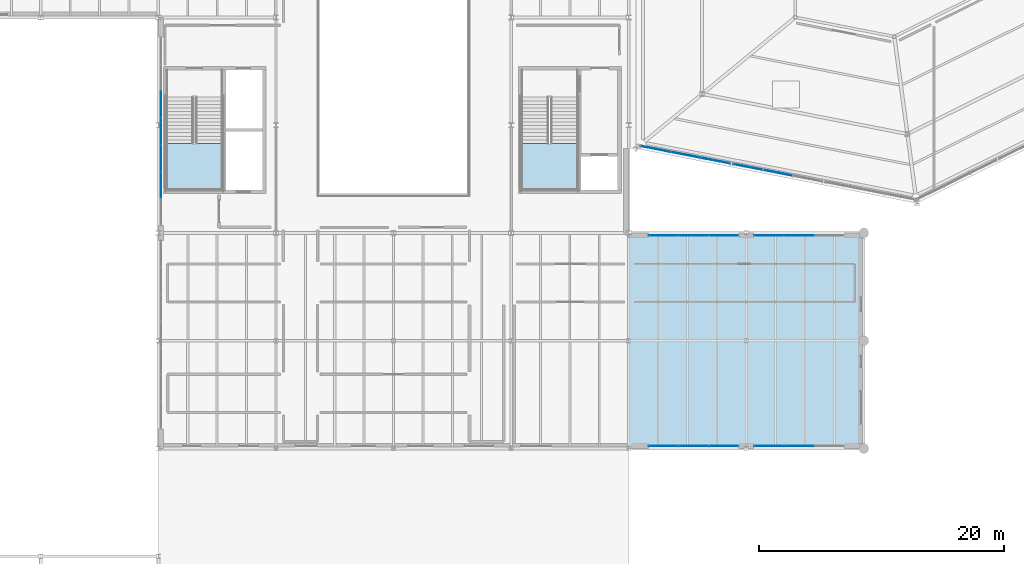
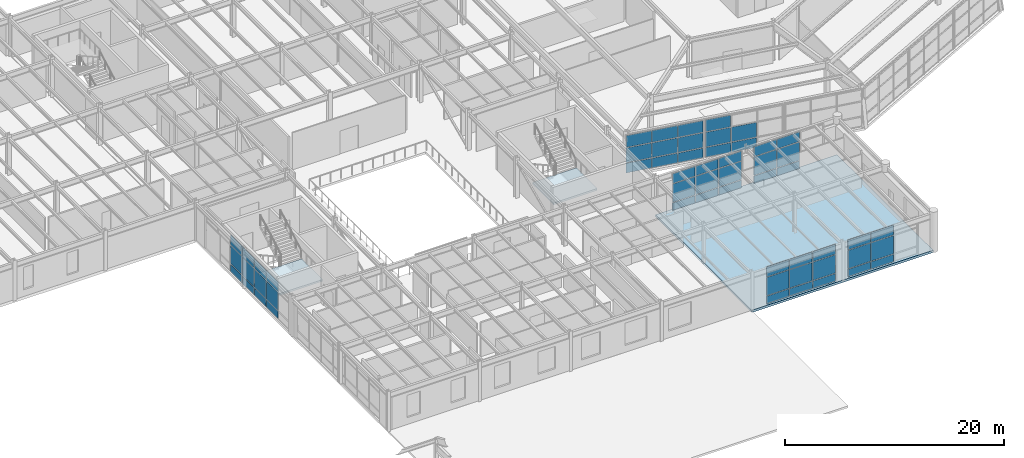
# One storey, part 51 of 88: 56 plates, 3 slabs, 9 elements without a shape of their own.
"""IFC4 building model written with IfcOpenShell, lengths in metres."""

from ifc_helpers import new_model, si_unit, direction, frame, origin, origin_2d, place, context, subcontext, project, spatial, polyline, rectangle, outline, extrude, material, layer, layer_set, type_object, element, aggregate, save


model = new_model("IFC4")

# Units and contexts
model_context = context("Model", 3, precision=1e-05, world=origin(), true_north=direction((0.0, 1.0)))
body_context = subcontext(model_context, "Body", "Model", "MODEL_VIEW")
ifc_project = project(units=[si_unit("LENGTHUNIT", "METRE"), si_unit("AREAUNIT", "SQUARE_METRE"), si_unit("VOLUMEUNIT", "CUBIC_METRE"), si_unit("PLANEANGLEUNIT", "RADIAN"), si_unit("MASSUNIT", "GRAM", prefix="KILO")], contexts=[model_context])

# Site, building, storey
site_placement = place(None, origin())
site = spatial("IfcSite", under=ifc_project, at=site_placement, CompositionType="ELEMENT")
building_placement = place(site_placement, origin())
building = spatial("IfcBuilding", under=site, at=building_placement, Name="Sarnbrook Museum", CompositionType="ELEMENT")
storey_placement = place(building_placement, frame((0.0, 0.0, 10.10009765625)))
storey = spatial("IfcBuildingStorey", under=building, at=storey_placement, Name="L02", CompositionType="ELEMENT", Elevation=10.10009765625)

# Curtain wall, plates
ifc_material_1 = material(Name="Thermally Broken Anodised Aluminium 6063-T6", Category="aluminium")
curtain_wall_type_1 = type_object("IfcCurtainWallType", Name="CurtainWall_CrystalFacet", PredefinedType="NOTDEFINED", material=ifc_material_1)
curtain_wall_1_placement = place(storey_placement, origin())
curtain_wall_1 = element("IfcCurtainWall", 1, at=curtain_wall_1_placement, inside=storey, type_object=curtain_wall_type_1, Name="Crystal Hall Facet Curtain Wall L02-F1.1", PredefinedType="NOTDEFINED")
ifc_material_2 = material(Name="Double-Glazed Low-Iron Laminated Safety Glass", Category="glass")
ifc_layer_1 = layer(ifc_material_2, 0.031982421875)
ifc_layer_set_1 = layer_set([ifc_layer_1], Name="Double-Glazed Low-Iron Laminated Safety Glass")
plate_type_1 = type_object("IfcPlateType", Name="CW_GlazedPanel_32", PredefinedType="CURTAIN_PANEL", material=ifc_layer_set_1)
plate_1_placement = place(storey_placement, frame((121.38134765625, 63.6708984375, 2.0), z_axis=(-0.191313464027, -0.981528990138, 0.0), x_axis=(0.981528990138, -0.191313464027, 0.0)))
plate_1 = element("IfcPlate", 2, at=plate_1_placement, type_object=plate_type_1, Name="Crystal Hall Facet Curtain Wall L02-F1.1 Glazed Panel 1-2", PredefinedType="CURTAIN_PANEL", context=body_context, shape_type="SweptSolid", body=[
    extrude(rectangle(XDim=2.4306640625, YDim=1.6298828125, at=origin_2d()), origin(), (0.0, 0.0, 1.0), 0.031982421875),
])
plate_2_placement = place(storey_placement, frame((121.38134765625, 63.6708984375, 3.544921875), z_axis=(-0.191313464027, -0.981528990138, 0.0), x_axis=(0.981528990138, -0.191313464027, 0.0)))
plate_2 = element("IfcPlate", 3, at=plate_2_placement, type_object=plate_type_1, Name="Crystal Hall Facet Curtain Wall L02-F1.1 Glazed Panel 1-3", PredefinedType="CURTAIN_PANEL", context=body_context, shape_type="SweptSolid", body=[
    extrude(rectangle(XDim=2.4306640625, YDim=1.320068359375, at=origin_2d()), origin(), (0.0, 0.0, 1.0), 0.031982421875),
])
plate_3_placement = place(storey_placement, frame((123.8408203125, 63.19140625, 2.0), z_axis=(-0.191313464027, -0.981528990138, 0.0), x_axis=(0.981528990138, -0.191313464027, 0.0)))
plate_3 = element("IfcPlate", 4, at=plate_3_placement, type_object=plate_type_1, Name="Crystal Hall Facet Curtain Wall L02-F1.1 Glazed Panel 2-2", PredefinedType="CURTAIN_PANEL", context=body_context, shape_type="SweptSolid", body=[
    extrude(rectangle(XDim=2.4306640625, YDim=1.6298828125, at=origin_2d()), origin(), (0.0, 0.0, 1.0), 0.031982421875),
])
plate_4_placement = place(storey_placement, frame((123.8408203125, 63.19140625, 3.544921875), z_axis=(-0.191313464027, -0.981528990138, 0.0), x_axis=(0.981528990138, -0.191313464027, 0.0)))
plate_4 = element("IfcPlate", 5, at=plate_4_placement, type_object=plate_type_1, Name="Crystal Hall Facet Curtain Wall L02-F1.1 Glazed Panel 2-3", PredefinedType="CURTAIN_PANEL", context=body_context, shape_type="SweptSolid", body=[
    extrude(rectangle(XDim=2.4306640625, YDim=1.320068359375, at=origin_2d()), origin(), (0.0, 0.0, 1.0), 0.031982421875),
])
plate_5_placement = place(storey_placement, frame((126.30029296875, 62.7119140625, 2.0), z_axis=(-0.191313464027, -0.981528990138, 0.0), x_axis=(0.981528990138, -0.191313464027, 0.0)))
plate_5 = element("IfcPlate", 6, at=plate_5_placement, type_object=plate_type_1, Name="Crystal Hall Facet Curtain Wall L02-F1.1 Glazed Panel 3-2", PredefinedType="CURTAIN_PANEL", context=body_context, shape_type="SweptSolid", body=[
    extrude(rectangle(XDim=2.4306640625, YDim=1.6298828125, at=origin_2d()), origin(), (0.0, 0.0, 1.0), 0.031982421875),
])
plate_6_placement = place(storey_placement, frame((126.30029296875, 62.7119140625, 3.544921875), z_axis=(-0.191313464027, -0.981528990138, 0.0), x_axis=(0.981528990138, -0.191313464027, 0.0)))
plate_6 = element("IfcPlate", 7, at=plate_6_placement, type_object=plate_type_1, Name="Crystal Hall Facet Curtain Wall L02-F1.1 Glazed Panel 3-3", PredefinedType="CURTAIN_PANEL", context=body_context, shape_type="SweptSolid", body=[
    extrude(rectangle(XDim=2.4306640625, YDim=1.320068359375, at=origin_2d()), origin(), (0.0, 0.0, 1.0), 0.031982421875),
])

curtain_wall_2_placement = place(storey_placement, origin())
curtain_wall_2 = element("IfcCurtainWall", 8, at=curtain_wall_2_placement, inside=storey, type_object=curtain_wall_type_1, Name="Crystal Hall Facet Curtain Wall L02-F1.2", PredefinedType="NOTDEFINED")
plate_7_placement = place(storey_placement, frame((128.916748046875, 62.201904296875, 2.0), z_axis=(-0.191313464027, -0.981528990138, 0.0), x_axis=(0.981528990138, -0.191313464027, 0.0)))
plate_7 = element("IfcPlate", 9, at=plate_7_placement, type_object=plate_type_1, Name="Crystal Hall Facet Curtain Wall L02-F1.2 Glazed Panel 1-2", PredefinedType="CURTAIN_PANEL", context=body_context, shape_type="SweptSolid", body=[
    extrude(rectangle(XDim=2.4306640625, YDim=1.6298828125, at=origin_2d()), origin(), (0.0, 0.0, 1.0), 0.031982421875),
])
plate_8_placement = place(storey_placement, frame((128.916748046875, 62.201904296875, 3.544921875), z_axis=(-0.191313464027, -0.981528990138, 0.0), x_axis=(0.981528990138, -0.191313464027, 0.0)))
plate_8 = element("IfcPlate", 10, at=plate_8_placement, type_object=plate_type_1, Name="Crystal Hall Facet Curtain Wall L02-F1.2 Glazed Panel 1-3", PredefinedType="CURTAIN_PANEL", context=body_context, shape_type="SweptSolid", body=[
    extrude(rectangle(XDim=2.4306640625, YDim=1.320068359375, at=origin_2d()), origin(), (0.0, 0.0, 1.0), 0.031982421875),
])
plate_9_placement = place(storey_placement, frame((131.3759765625, 61.72265625, 2.0), z_axis=(-0.191313464027, -0.981528990138, 0.0), x_axis=(0.981528990138, -0.191313464027, 0.0)))
plate_9 = element("IfcPlate", 11, at=plate_9_placement, type_object=plate_type_1, Name="Crystal Hall Facet Curtain Wall L02-F1.2 Glazed Panel 2-2", PredefinedType="CURTAIN_PANEL", context=body_context, shape_type="SweptSolid", body=[
    extrude(rectangle(XDim=2.4306640625, YDim=1.6298828125, at=origin_2d()), origin(), (0.0, 0.0, 1.0), 0.031982421875),
])

curtain_wall_type_2 = type_object("IfcCurtainWallType", Name="CurtainWall_GalleryRibbon", PredefinedType="NOTDEFINED", material=ifc_material_1)
curtain_wall_3_placement = place(storey_placement, origin())
curtain_wall_3 = element("IfcCurtainWall", 12, at=curtain_wall_3_placement, inside=storey, type_object=curtain_wall_type_2, Name="Gallery Ribbon Curtain Wall L02-14.1", PredefinedType="NOTDEFINED")
plate_10_placement = place(storey_placement, frame((81.01806640625, 67.294189453125, 1.949951171875), z_axis=(-1.0, 0.0, 0.0), x_axis=(0.0, -1.0, 0.0)))
plate_10 = element("IfcPlate", 13, at=plate_10_placement, type_object=plate_type_1, Name="Gallery Ribbon Curtain Wall L02-14.1 Glazed Panel 3-2", PredefinedType="CURTAIN_PANEL", context=body_context, shape_type="SweptSolid", body=[
    extrude(rectangle(XDim=2.119384765625, YDim=2.030029296875, at=origin_2d()), origin(), (0.0, 0.0, 1.0), 0.031982421875),
])
plate_11_placement = place(storey_placement, frame((81.01806640625, 67.294189453125, 3.579833984375), z_axis=(-1.0, 0.0, 0.0), x_axis=(0.0, -1.0, 0.0)))
plate_11 = element("IfcPlate", 14, at=plate_11_placement, type_object=plate_type_1, Name="Gallery Ribbon Curtain Wall L02-14.1 Glazed Panel 3-3", PredefinedType="CURTAIN_PANEL", context=body_context, shape_type="SweptSolid", body=[
    extrude(rectangle(XDim=2.119384765625, YDim=1.090087890625, at=origin_2d()), origin(), (0.0, 0.0, 1.0), 0.031982421875),
])
plate_12_placement = place(storey_placement, frame((81.01806640625, 65.10009765625, 1.949951171875), z_axis=(-1.0, 0.0, 0.0), x_axis=(0.0, -1.0, 0.0)))
plate_12 = element("IfcPlate", 15, at=plate_12_placement, type_object=plate_type_1, Name="Gallery Ribbon Curtain Wall L02-14.1 Glazed Panel 4-2", PredefinedType="CURTAIN_PANEL", context=body_context, shape_type="SweptSolid", body=[
    extrude(rectangle(XDim=2.119384765625, YDim=2.030029296875, at=origin_2d()), origin(), (0.0, 0.0, 1.0), 0.031982421875),
])
plate_13_placement = place(storey_placement, frame((81.01806640625, 65.10009765625, 3.579833984375), z_axis=(-1.0, 0.0, 0.0), x_axis=(0.0, -1.0, 0.0)))
plate_13 = element("IfcPlate", 16, at=plate_13_placement, type_object=plate_type_1, Name="Gallery Ribbon Curtain Wall L02-14.1 Glazed Panel 4-3", PredefinedType="CURTAIN_PANEL", context=body_context, shape_type="SweptSolid", body=[
    extrude(rectangle(XDim=2.119384765625, YDim=1.090087890625, at=origin_2d()), origin(), (0.0, 0.0, 1.0), 0.031982421875),
])
plate_14_placement = place(storey_placement, frame((81.01806640625, 62.90576171875, 1.949951171875), z_axis=(-1.0, 0.0, 0.0), x_axis=(0.0, -1.0, 0.0)))
plate_14 = element("IfcPlate", 17, at=plate_14_placement, type_object=plate_type_1, Name="Gallery Ribbon Curtain Wall L02-14.1 Glazed Panel 5-2", PredefinedType="CURTAIN_PANEL", context=body_context, shape_type="SweptSolid", body=[
    extrude(rectangle(XDim=2.119384765625, YDim=2.030029296875, at=origin_2d()), origin(), (0.0, 0.0, 1.0), 0.031982421875),
])
plate_15_placement = place(storey_placement, frame((81.01806640625, 62.90576171875, 3.579833984375), z_axis=(-1.0, 0.0, 0.0), x_axis=(0.0, -1.0, 0.0)))
plate_15 = element("IfcPlate", 18, at=plate_15_placement, type_object=plate_type_1, Name="Gallery Ribbon Curtain Wall L02-14.1 Glazed Panel 5-3", PredefinedType="CURTAIN_PANEL", context=body_context, shape_type="SweptSolid", body=[
    extrude(rectangle(XDim=2.119384765625, YDim=1.090087890625, at=origin_2d()), origin(), (0.0, 0.0, 1.0), 0.031982421875),
])
plate_16_placement = place(storey_placement, frame((81.01806640625, 60.71142578125, 1.949951171875), z_axis=(-1.0, 0.0, 0.0), x_axis=(0.0, -1.0, 0.0)))
plate_16 = element("IfcPlate", 19, at=plate_16_placement, type_object=plate_type_1, Name="Gallery Ribbon Curtain Wall L02-14.1 Glazed Panel 6-2", PredefinedType="CURTAIN_PANEL", context=body_context, shape_type="SweptSolid", body=[
    extrude(rectangle(XDim=2.119384765625, YDim=2.030029296875, at=origin_2d()), origin(), (0.0, 0.0, 1.0), 0.031982421875),
])
plate_17_placement = place(storey_placement, frame((81.01806640625, 60.71142578125, 3.579833984375), z_axis=(-1.0, 0.0, 0.0), x_axis=(0.0, -1.0, 0.0)))
plate_17 = element("IfcPlate", 20, at=plate_17_placement, type_object=plate_type_1, Name="Gallery Ribbon Curtain Wall L02-14.1 Glazed Panel 6-3", PredefinedType="CURTAIN_PANEL", context=body_context, shape_type="SweptSolid", body=[
    extrude(rectangle(XDim=2.119384765625, YDim=1.090087890625, at=origin_2d()), origin(), (0.0, 0.0, 1.0), 0.031982421875),
])

curtain_wall_4_placement = place(storey_placement, origin())
curtain_wall_4 = element("IfcCurtainWall", 21, at=curtain_wall_4_placement, inside=storey, type_object=curtain_wall_type_2, Name="Gallery Ribbon Curtain Wall L02-16.1", PredefinedType="NOTDEFINED")
plate_18_placement = place(storey_placement, frame((122.046630859375, 39.41796875, 1.949951171875), z_axis=(0.0, -1.0, 0.0), x_axis=(1.0, 0.0, 0.0)))
plate_18 = element("IfcPlate", 22, at=plate_18_placement, type_object=plate_type_1, Name="Gallery Ribbon Curtain Wall L02-16.1 Glazed Panel 1-2", PredefinedType="CURTAIN_PANEL", context=body_context, shape_type="SweptSolid", body=[
    extrude(rectangle(XDim=2.37841796875, YDim=2.030029296875, at=origin_2d()), origin(), (0.0, 0.0, 1.0), 0.031982421875),
])
plate_19_placement = place(storey_placement, frame((122.046630859375, 39.41796875, 3.579833984375), z_axis=(0.0, -1.0, 0.0), x_axis=(1.0, 0.0, 0.0)))
plate_19 = element("IfcPlate", 23, at=plate_19_placement, type_object=plate_type_1, Name="Gallery Ribbon Curtain Wall L02-16.1 Glazed Panel 1-3", PredefinedType="CURTAIN_PANEL", context=body_context, shape_type="SweptSolid", body=[
    extrude(rectangle(XDim=2.37841796875, YDim=1.090087890625, at=origin_2d()), origin(), (0.0, 0.0, 1.0), 0.031982421875),
])
plate_20_placement = place(storey_placement, frame((124.5, 39.41796875, 1.949951171875), z_axis=(0.0, -1.0, 0.0), x_axis=(1.0, 0.0, 0.0)))
plate_20 = element("IfcPlate", 24, at=plate_20_placement, type_object=plate_type_1, Name="Gallery Ribbon Curtain Wall L02-16.1 Glazed Panel 2-2", PredefinedType="CURTAIN_PANEL", context=body_context, shape_type="SweptSolid", body=[
    extrude(rectangle(XDim=2.37841796875, YDim=2.030029296875, at=origin_2d()), origin(), (0.0, 0.0, 1.0), 0.031982421875),
])
plate_21_placement = place(storey_placement, frame((124.5, 39.41796875, 3.579833984375), z_axis=(0.0, -1.0, 0.0), x_axis=(1.0, 0.0, 0.0)))
plate_21 = element("IfcPlate", 25, at=plate_21_placement, type_object=plate_type_1, Name="Gallery Ribbon Curtain Wall L02-16.1 Glazed Panel 2-3", PredefinedType="CURTAIN_PANEL", context=body_context, shape_type="SweptSolid", body=[
    extrude(rectangle(XDim=2.37841796875, YDim=1.090087890625, at=origin_2d()), origin(), (0.0, 0.0, 1.0), 0.031982421875),
])
plate_22_placement = place(storey_placement, frame((126.953369140625, 39.41796875, 1.949951171875), z_axis=(0.0, -1.0, 0.0), x_axis=(1.0, 0.0, 0.0)))
plate_22 = element("IfcPlate", 26, at=plate_22_placement, type_object=plate_type_1, Name="Gallery Ribbon Curtain Wall L02-16.1 Glazed Panel 3-2", PredefinedType="CURTAIN_PANEL", context=body_context, shape_type="SweptSolid", body=[
    extrude(rectangle(XDim=2.37841796875, YDim=2.030029296875, at=origin_2d()), origin(), (0.0, 0.0, 1.0), 0.031982421875),
])
plate_23_placement = place(storey_placement, frame((126.953369140625, 39.41796875, 3.579833984375), z_axis=(0.0, -1.0, 0.0), x_axis=(1.0, 0.0, 0.0)))
plate_23 = element("IfcPlate", 27, at=plate_23_placement, type_object=plate_type_1, Name="Gallery Ribbon Curtain Wall L02-16.1 Glazed Panel 3-3", PredefinedType="CURTAIN_PANEL", context=body_context, shape_type="SweptSolid", body=[
    extrude(rectangle(XDim=2.37841796875, YDim=1.090087890625, at=origin_2d()), origin(), (0.0, 0.0, 1.0), 0.031982421875),
])

curtain_wall_5_placement = place(storey_placement, origin())
curtain_wall_5 = element("IfcCurtainWall", 28, at=curtain_wall_5_placement, inside=storey, type_object=curtain_wall_type_2, Name="Gallery Ribbon Curtain Wall L02-16.2", PredefinedType="NOTDEFINED")
plate_24_placement = place(storey_placement, frame((130.646728515625, 39.41796875, 1.949951171875), z_axis=(0.0, -1.0, 0.0), x_axis=(1.0, 0.0, 0.0)))
plate_24 = element("IfcPlate", 29, at=plate_24_placement, type_object=plate_type_1, Name="Gallery Ribbon Curtain Wall L02-16.2 Glazed Panel 1-2", PredefinedType="CURTAIN_PANEL", context=body_context, shape_type="SweptSolid", body=[
    extrude(rectangle(XDim=2.37841796875, YDim=2.030029296875, at=origin_2d()), origin(), (0.0, 0.0, 1.0), 0.031982421875),
])
plate_25_placement = place(storey_placement, frame((130.646728515625, 39.41796875, 3.579833984375), z_axis=(0.0, -1.0, 0.0), x_axis=(1.0, 0.0, 0.0)))
plate_25 = element("IfcPlate", 30, at=plate_25_placement, type_object=plate_type_1, Name="Gallery Ribbon Curtain Wall L02-16.2 Glazed Panel 1-3", PredefinedType="CURTAIN_PANEL", context=body_context, shape_type="SweptSolid", body=[
    extrude(rectangle(XDim=2.37841796875, YDim=1.090087890625, at=origin_2d()), origin(), (0.0, 0.0, 1.0), 0.031982421875),
])
plate_26_placement = place(storey_placement, frame((133.10009765625, 39.41796875, 1.949951171875), z_axis=(0.0, -1.0, 0.0), x_axis=(1.0, 0.0, 0.0)))
plate_26 = element("IfcPlate", 31, at=plate_26_placement, type_object=plate_type_1, Name="Gallery Ribbon Curtain Wall L02-16.2 Glazed Panel 2-2", PredefinedType="CURTAIN_PANEL", context=body_context, shape_type="SweptSolid", body=[
    extrude(rectangle(XDim=2.37841796875, YDim=2.030029296875, at=origin_2d()), origin(), (0.0, 0.0, 1.0), 0.031982421875),
])
plate_27_placement = place(storey_placement, frame((133.10009765625, 39.41796875, 3.579833984375), z_axis=(0.0, -1.0, 0.0), x_axis=(1.0, 0.0, 0.0)))
plate_27 = element("IfcPlate", 32, at=plate_27_placement, type_object=plate_type_1, Name="Gallery Ribbon Curtain Wall L02-16.2 Glazed Panel 2-3", PredefinedType="CURTAIN_PANEL", context=body_context, shape_type="SweptSolid", body=[
    extrude(rectangle(XDim=2.37841796875, YDim=1.090087890625, at=origin_2d()), origin(), (0.0, 0.0, 1.0), 0.031982421875),
])

curtain_wall_6_placement = place(storey_placement, origin())
curtain_wall_6 = element("IfcCurtainWall", 33, at=curtain_wall_6_placement, inside=storey, type_object=curtain_wall_type_2, Name="Gallery Ribbon Curtain Wall L02-18.1", PredefinedType="NOTDEFINED")
plate_28_placement = place(storey_placement, frame((133.10009765625, 56.58203125, 1.949951171875), z_axis=(0.0, 1.0, 0.0), x_axis=(-1.0, 0.0, 0.0)))
plate_28 = element("IfcPlate", 34, at=plate_28_placement, type_object=plate_type_1, Name="Gallery Ribbon Curtain Wall L02-18.1 Glazed Panel 2-2", PredefinedType="CURTAIN_PANEL", context=body_context, shape_type="SweptSolid", body=[
    extrude(rectangle(XDim=2.37841796875, YDim=2.030029296875, at=origin_2d()), origin(), (0.0, 0.0, 1.0), 0.031982421875),
])
plate_29_placement = place(storey_placement, frame((133.10009765625, 56.58203125, 3.579833984375), z_axis=(0.0, 1.0, 0.0), x_axis=(-1.0, 0.0, 0.0)))
plate_29 = element("IfcPlate", 35, at=plate_29_placement, type_object=plate_type_1, Name="Gallery Ribbon Curtain Wall L02-18.1 Glazed Panel 2-3", PredefinedType="CURTAIN_PANEL", context=body_context, shape_type="SweptSolid", body=[
    extrude(rectangle(XDim=2.37841796875, YDim=1.090087890625, at=origin_2d()), origin(), (0.0, 0.0, 1.0), 0.031982421875),
])
plate_30_placement = place(storey_placement, frame((130.646728515625, 56.58203125, 1.949951171875), z_axis=(0.0, 1.0, 0.0), x_axis=(-1.0, 0.0, 0.0)))
plate_30 = element("IfcPlate", 36, at=plate_30_placement, type_object=plate_type_1, Name="Gallery Ribbon Curtain Wall L02-18.1 Glazed Panel 3-2", PredefinedType="CURTAIN_PANEL", context=body_context, shape_type="SweptSolid", body=[
    extrude(rectangle(XDim=2.37841796875, YDim=2.030029296875, at=origin_2d()), origin(), (0.0, 0.0, 1.0), 0.031982421875),
])
plate_31_placement = place(storey_placement, frame((130.646728515625, 56.58203125, 3.579833984375), z_axis=(0.0, 1.0, 0.0), x_axis=(-1.0, 0.0, 0.0)))
plate_31 = element("IfcPlate", 37, at=plate_31_placement, type_object=plate_type_1, Name="Gallery Ribbon Curtain Wall L02-18.1 Glazed Panel 3-3", PredefinedType="CURTAIN_PANEL", context=body_context, shape_type="SweptSolid", body=[
    extrude(rectangle(XDim=2.37841796875, YDim=1.090087890625, at=origin_2d()), origin(), (0.0, 0.0, 1.0), 0.031982421875),
])

curtain_wall_7_placement = place(storey_placement, origin())
curtain_wall_7 = element("IfcCurtainWall", 38, at=curtain_wall_7_placement, inside=storey, type_object=curtain_wall_type_2, Name="Gallery Ribbon Curtain Wall L02-18.2", PredefinedType="NOTDEFINED")
plate_32_placement = place(storey_placement, frame((126.953369140625, 56.58203125, 1.949951171875), z_axis=(0.0, 1.0, 0.0), x_axis=(-1.0, 0.0, 0.0)))
plate_32 = element("IfcPlate", 39, at=plate_32_placement, type_object=plate_type_1, Name="Gallery Ribbon Curtain Wall L02-18.2 Glazed Panel 1-2", PredefinedType="CURTAIN_PANEL", context=body_context, shape_type="SweptSolid", body=[
    extrude(rectangle(XDim=2.37841796875, YDim=2.030029296875, at=origin_2d()), origin(), (0.0, 0.0, 1.0), 0.031982421875),
])
plate_33_placement = place(storey_placement, frame((126.953369140625, 56.58203125, 3.579833984375), z_axis=(0.0, 1.0, 0.0), x_axis=(-1.0, 0.0, 0.0)))
plate_33 = element("IfcPlate", 40, at=plate_33_placement, type_object=plate_type_1, Name="Gallery Ribbon Curtain Wall L02-18.2 Glazed Panel 1-3", PredefinedType="CURTAIN_PANEL", context=body_context, shape_type="SweptSolid", body=[
    extrude(rectangle(XDim=2.37841796875, YDim=1.090087890625, at=origin_2d()), origin(), (0.0, 0.0, 1.0), 0.031982421875),
])
plate_34_placement = place(storey_placement, frame((124.5, 56.58203125, 1.949951171875), z_axis=(0.0, 1.0, 0.0), x_axis=(-1.0, 0.0, 0.0)))
plate_34 = element("IfcPlate", 41, at=plate_34_placement, type_object=plate_type_1, Name="Gallery Ribbon Curtain Wall L02-18.2 Glazed Panel 2-2", PredefinedType="CURTAIN_PANEL", context=body_context, shape_type="SweptSolid", body=[
    extrude(rectangle(XDim=2.37841796875, YDim=2.030029296875, at=origin_2d()), origin(), (0.0, 0.0, 1.0), 0.031982421875),
])
plate_35_placement = place(storey_placement, frame((124.5, 56.58203125, 3.579833984375), z_axis=(0.0, 1.0, 0.0), x_axis=(-1.0, 0.0, 0.0)))
plate_35 = element("IfcPlate", 42, at=plate_35_placement, type_object=plate_type_1, Name="Gallery Ribbon Curtain Wall L02-18.2 Glazed Panel 2-3", PredefinedType="CURTAIN_PANEL", context=body_context, shape_type="SweptSolid", body=[
    extrude(rectangle(XDim=2.37841796875, YDim=1.090087890625, at=origin_2d()), origin(), (0.0, 0.0, 1.0), 0.031982421875),
])
plate_36_placement = place(storey_placement, frame((122.046630859375, 56.58203125, 1.949951171875), z_axis=(0.0, 1.0, 0.0), x_axis=(-1.0, 0.0, 0.0)))
plate_36 = element("IfcPlate", 43, at=plate_36_placement, type_object=plate_type_1, Name="Gallery Ribbon Curtain Wall L02-18.2 Glazed Panel 3-2", PredefinedType="CURTAIN_PANEL", context=body_context, shape_type="SweptSolid", body=[
    extrude(rectangle(XDim=2.37841796875, YDim=2.030029296875, at=origin_2d()), origin(), (0.0, 0.0, 1.0), 0.031982421875),
])
plate_37_placement = place(storey_placement, frame((122.046630859375, 56.58203125, 3.579833984375), z_axis=(0.0, 1.0, 0.0), x_axis=(-1.0, 0.0, 0.0)))
plate_37 = element("IfcPlate", 44, at=plate_37_placement, type_object=plate_type_1, Name="Gallery Ribbon Curtain Wall L02-18.2 Glazed Panel 3-3", PredefinedType="CURTAIN_PANEL", context=body_context, shape_type="SweptSolid", body=[
    extrude(rectangle(XDim=2.37841796875, YDim=1.090087890625, at=origin_2d()), origin(), (0.0, 0.0, 1.0), 0.031982421875),
])

# Plate
ifc_material_3 = material(Name="Patinated Architectural Bronze")
ifc_layer_2 = layer(ifc_material_3, 0.044921875)
ifc_layer_set_2 = layer_set([ifc_layer_2], Name="Patinated Architectural Bronze")
plate_type_2 = type_object("IfcPlateType", Name="CW_SpandrelPanel_45", PredefinedType="CURTAIN_PANEL", material=ifc_layer_set_2)
plate_38_placement = place(storey_placement, frame((121.382568359375, 63.67724609375, 0.574951171875), z_axis=(-0.191313464027, -0.981528990138, 0.0), x_axis=(0.981528990138, -0.191313464027, 0.0)))
plate_38 = element("IfcPlate", 45, at=plate_38_placement, type_object=plate_type_2, Name="Crystal Hall Facet Curtain Wall L02-F1.1 Spandrel Panel 1-1", PredefinedType="CURTAIN_PANEL", context=body_context, shape_type="SweptSolid", body=[
    extrude(rectangle(XDim=2.4306640625, YDim=1.080078125, at=origin_2d()), origin(), (0.0, 0.0, 1.0), 0.044921875),
])

plate_39_placement = place(storey_placement, frame((123.842041015625, 63.19775390625, 0.574951171875), z_axis=(-0.191313464027, -0.981528990138, 0.0), x_axis=(0.981528990138, -0.191313464027, 0.0)))
plate_39 = element("IfcPlate", 46, at=plate_39_placement, type_object=plate_type_2, Name="Crystal Hall Facet Curtain Wall L02-F1.1 Spandrel Panel 2-1", PredefinedType="CURTAIN_PANEL", context=body_context, shape_type="SweptSolid", body=[
    extrude(rectangle(XDim=2.4306640625, YDim=1.080078125, at=origin_2d()), origin(), (0.0, 0.0, 1.0), 0.044921875),
])

plate_40_placement = place(storey_placement, frame((126.301513671875, 62.71826171875, 0.574951171875), z_axis=(-0.191313464027, -0.981528990138, 0.0), x_axis=(0.981528990138, -0.191313464027, 0.0)))
plate_40 = element("IfcPlate", 47, at=plate_40_placement, type_object=plate_type_2, Name="Crystal Hall Facet Curtain Wall L02-F1.1 Spandrel Panel 3-1", PredefinedType="CURTAIN_PANEL", context=body_context, shape_type="SweptSolid", body=[
    extrude(rectangle(XDim=2.4306640625, YDim=1.080078125, at=origin_2d()), origin(), (0.0, 0.0, 1.0), 0.044921875),
])

aggregate(curtain_wall_1, [plate_38, plate_1, plate_2, plate_39, plate_3, plate_4, plate_40, plate_5, plate_6])

plate_41_placement = place(storey_placement, frame((128.91796875, 62.208251953125, 0.574951171875), z_axis=(-0.191313464027, -0.981528990138, 0.0), x_axis=(0.981528990138, -0.191313464027, 0.0)))
plate_41 = element("IfcPlate", 48, at=plate_41_placement, type_object=plate_type_2, Name="Crystal Hall Facet Curtain Wall L02-F1.2 Spandrel Panel 1-1", PredefinedType="CURTAIN_PANEL", context=body_context, shape_type="SweptSolid", body=[
    extrude(rectangle(XDim=2.4306640625, YDim=1.080078125, at=origin_2d()), origin(), (0.0, 0.0, 1.0), 0.044921875),
])

plate_42_placement = place(storey_placement, frame((131.377197265625, 61.72900390625, 0.574951171875), z_axis=(-0.191313464027, -0.981528990138, 0.0), x_axis=(0.981528990138, -0.191313464027, 0.0)))
plate_42 = element("IfcPlate", 49, at=plate_42_placement, type_object=plate_type_2, Name="Crystal Hall Facet Curtain Wall L02-F1.2 Spandrel Panel 2-1", PredefinedType="CURTAIN_PANEL", context=body_context, shape_type="SweptSolid", body=[
    extrude(rectangle(XDim=2.4306640625, YDim=1.080078125, at=origin_2d()), origin(), (0.0, 0.0, 1.0), 0.044921875),
])

aggregate(curtain_wall_2, [plate_41, plate_7, plate_8, plate_42, plate_9])

plate_43_placement = place(storey_placement, frame((81.0244140625, 67.294189453125, 0.449951171875), z_axis=(-1.0, 0.0, 0.0), x_axis=(0.0, -1.0, 0.0)))
plate_43 = element("IfcPlate", 50, at=plate_43_placement, type_object=plate_type_2, Name="Gallery Ribbon Curtain Wall L02-14.1 Spandrel Panel 3-1", PredefinedType="CURTAIN_PANEL", context=body_context, shape_type="SweptSolid", body=[
    extrude(rectangle(XDim=2.119384765625, YDim=0.830078125, at=origin_2d()), origin(), (0.0, 0.0, 1.0), 0.044921875),
])

plate_44_placement = place(storey_placement, frame((81.0244140625, 65.10009765625, 0.449951171875), z_axis=(-1.0, 0.0, 0.0), x_axis=(0.0, -1.0, 0.0)))
plate_44 = element("IfcPlate", 51, at=plate_44_placement, type_object=plate_type_2, Name="Gallery Ribbon Curtain Wall L02-14.1 Spandrel Panel 4-1", PredefinedType="CURTAIN_PANEL", context=body_context, shape_type="SweptSolid", body=[
    extrude(rectangle(XDim=2.119384765625, YDim=0.830078125, at=origin_2d()), origin(), (0.0, 0.0, 1.0), 0.044921875),
])

plate_45_placement = place(storey_placement, frame((81.0244140625, 62.90576171875, 0.449951171875), z_axis=(-1.0, 0.0, 0.0), x_axis=(0.0, -1.0, 0.0)))
plate_45 = element("IfcPlate", 52, at=plate_45_placement, type_object=plate_type_2, Name="Gallery Ribbon Curtain Wall L02-14.1 Spandrel Panel 5-1", PredefinedType="CURTAIN_PANEL", context=body_context, shape_type="SweptSolid", body=[
    extrude(rectangle(XDim=2.119384765625, YDim=0.830078125, at=origin_2d()), origin(), (0.0, 0.0, 1.0), 0.044921875),
])

plate_46_placement = place(storey_placement, frame((81.0244140625, 60.71142578125, 0.449951171875), z_axis=(-1.0, 0.0, 0.0), x_axis=(0.0, -1.0, 0.0)))
plate_46 = element("IfcPlate", 53, at=plate_46_placement, type_object=plate_type_2, Name="Gallery Ribbon Curtain Wall L02-14.1 Spandrel Panel 6-1", PredefinedType="CURTAIN_PANEL", context=body_context, shape_type="SweptSolid", body=[
    extrude(rectangle(XDim=2.119384765625, YDim=0.830078125, at=origin_2d()), origin(), (0.0, 0.0, 1.0), 0.044921875),
])

aggregate(curtain_wall_3, [plate_43, plate_10, plate_11, plate_44, plate_12, plate_13, plate_45, plate_14, plate_15, plate_46, plate_16, plate_17])

plate_47_placement = place(storey_placement, frame((122.046630859375, 39.424560546875, 0.449951171875), z_axis=(0.0, -1.0, 0.0), x_axis=(1.0, 0.0, 0.0)))
plate_47 = element("IfcPlate", 54, at=plate_47_placement, type_object=plate_type_2, Name="Gallery Ribbon Curtain Wall L02-16.1 Spandrel Panel 1-1", PredefinedType="CURTAIN_PANEL", context=body_context, shape_type="SweptSolid", body=[
    extrude(rectangle(XDim=2.37841796875, YDim=0.830078125, at=origin_2d()), origin(), (0.0, 0.0, 1.0), 0.044921875),
])

plate_48_placement = place(storey_placement, frame((124.5, 39.424560546875, 0.449951171875), z_axis=(0.0, -1.0, 0.0), x_axis=(1.0, 0.0, 0.0)))
plate_48 = element("IfcPlate", 55, at=plate_48_placement, type_object=plate_type_2, Name="Gallery Ribbon Curtain Wall L02-16.1 Spandrel Panel 2-1", PredefinedType="CURTAIN_PANEL", context=body_context, shape_type="SweptSolid", body=[
    extrude(rectangle(XDim=2.37841796875, YDim=0.830078125, at=origin_2d()), origin(), (0.0, 0.0, 1.0), 0.044921875),
])

plate_49_placement = place(storey_placement, frame((126.953369140625, 39.424560546875, 0.449951171875), z_axis=(0.0, -1.0, 0.0), x_axis=(1.0, 0.0, 0.0)))
plate_49 = element("IfcPlate", 56, at=plate_49_placement, type_object=plate_type_2, Name="Gallery Ribbon Curtain Wall L02-16.1 Spandrel Panel 3-1", PredefinedType="CURTAIN_PANEL", context=body_context, shape_type="SweptSolid", body=[
    extrude(rectangle(XDim=2.37841796875, YDim=0.830078125, at=origin_2d()), origin(), (0.0, 0.0, 1.0), 0.044921875),
])

aggregate(curtain_wall_4, [plate_47, plate_18, plate_19, plate_48, plate_20, plate_21, plate_49, plate_22, plate_23])

plate_50_placement = place(storey_placement, frame((130.646728515625, 39.424560546875, 0.449951171875), z_axis=(0.0, -1.0, 0.0), x_axis=(1.0, 0.0, 0.0)))
plate_50 = element("IfcPlate", 57, at=plate_50_placement, type_object=plate_type_2, Name="Gallery Ribbon Curtain Wall L02-16.2 Spandrel Panel 1-1", PredefinedType="CURTAIN_PANEL", context=body_context, shape_type="SweptSolid", body=[
    extrude(rectangle(XDim=2.37841796875, YDim=0.830078125, at=origin_2d()), origin(), (0.0, 0.0, 1.0), 0.044921875),
])

plate_51_placement = place(storey_placement, frame((133.10009765625, 39.424560546875, 0.449951171875), z_axis=(0.0, -1.0, 0.0), x_axis=(1.0, 0.0, 0.0)))
plate_51 = element("IfcPlate", 58, at=plate_51_placement, type_object=plate_type_2, Name="Gallery Ribbon Curtain Wall L02-16.2 Spandrel Panel 2-1", PredefinedType="CURTAIN_PANEL", context=body_context, shape_type="SweptSolid", body=[
    extrude(rectangle(XDim=2.37841796875, YDim=0.830078125, at=origin_2d()), origin(), (0.0, 0.0, 1.0), 0.044921875),
])

aggregate(curtain_wall_5, [plate_50, plate_24, plate_25, plate_51, plate_26, plate_27])

plate_52_placement = place(storey_placement, frame((133.10009765625, 56.575439453125, 0.449951171875), z_axis=(0.0, 1.0, 0.0), x_axis=(-1.0, 0.0, 0.0)))
plate_52 = element("IfcPlate", 59, at=plate_52_placement, type_object=plate_type_2, Name="Gallery Ribbon Curtain Wall L02-18.1 Spandrel Panel 2-1", PredefinedType="CURTAIN_PANEL", context=body_context, shape_type="SweptSolid", body=[
    extrude(rectangle(XDim=2.37841796875, YDim=0.830078125, at=origin_2d()), origin(), (0.0, 0.0, 1.0), 0.044921875),
])

plate_53_placement = place(storey_placement, frame((130.646728515625, 56.575439453125, 0.449951171875), z_axis=(0.0, 1.0, 0.0), x_axis=(-1.0, 0.0, 0.0)))
plate_53 = element("IfcPlate", 60, at=plate_53_placement, type_object=plate_type_2, Name="Gallery Ribbon Curtain Wall L02-18.1 Spandrel Panel 3-1", PredefinedType="CURTAIN_PANEL", context=body_context, shape_type="SweptSolid", body=[
    extrude(rectangle(XDim=2.37841796875, YDim=0.830078125, at=origin_2d()), origin(), (0.0, 0.0, 1.0), 0.044921875),
])

aggregate(curtain_wall_6, [plate_52, plate_28, plate_29, plate_53, plate_30, plate_31])

plate_54_placement = place(storey_placement, frame((126.953369140625, 56.575439453125, 0.449951171875), z_axis=(0.0, 1.0, 0.0), x_axis=(-1.0, 0.0, 0.0)))
plate_54 = element("IfcPlate", 61, at=plate_54_placement, type_object=plate_type_2, Name="Gallery Ribbon Curtain Wall L02-18.2 Spandrel Panel 1-1", PredefinedType="CURTAIN_PANEL", context=body_context, shape_type="SweptSolid", body=[
    extrude(rectangle(XDim=2.37841796875, YDim=0.830078125, at=origin_2d()), origin(), (0.0, 0.0, 1.0), 0.044921875),
])

plate_55_placement = place(storey_placement, frame((124.5, 56.575439453125, 0.449951171875), z_axis=(0.0, 1.0, 0.0), x_axis=(-1.0, 0.0, 0.0)))
plate_55 = element("IfcPlate", 62, at=plate_55_placement, type_object=plate_type_2, Name="Gallery Ribbon Curtain Wall L02-18.2 Spandrel Panel 2-1", PredefinedType="CURTAIN_PANEL", context=body_context, shape_type="SweptSolid", body=[
    extrude(rectangle(XDim=2.37841796875, YDim=0.830078125, at=origin_2d()), origin(), (0.0, 0.0, 1.0), 0.044921875),
])

plate_56_placement = place(storey_placement, frame((122.046630859375, 56.575439453125, 0.449951171875), z_axis=(0.0, 1.0, 0.0), x_axis=(-1.0, 0.0, 0.0)))
plate_56 = element("IfcPlate", 63, at=plate_56_placement, type_object=plate_type_2, Name="Gallery Ribbon Curtain Wall L02-18.2 Spandrel Panel 3-1", PredefinedType="CURTAIN_PANEL", context=body_context, shape_type="SweptSolid", body=[
    extrude(rectangle(XDim=2.37841796875, YDim=0.830078125, at=origin_2d()), origin(), (0.0, 0.0, 1.0), 0.044921875),
])

aggregate(curtain_wall_7, [plate_54, plate_32, plate_33, plate_55, plate_34, plate_35, plate_56, plate_36, plate_37])

# Slab
ifc_material_4 = material(Name="Concrete N40 (AS 3600, f'c = 40 MPa)", Category="concrete")
ifc_layer_3 = layer(ifc_material_4, 0.25)
ifc_layer_set_3 = layer_set([ifc_layer_3], Name="Concrete N40 (AS 3600, f'c = 40 MPa)")
slab_type_1 = type_object("IfcSlabType", Name="FloorSlab_250", PredefinedType="FLOOR", material=ifc_layer_set_3)
slab_1_placement = place(storey_placement, frame((0.0, 0.0, -0.25)))
element("IfcSlab", 64, at=slab_1_placement, inside=storey, type_object=slab_type_1, Name="V3E Structural Slab L02", PredefinedType="FLOOR", context=body_context, shape_type="SweptSolid", body=[
    extrude(outline(polyline([(138.364990234375, 56.800048828125), (138.364990234375, 39.199951171875), (119.2041015625, 39.199951171875), (119.2041015625, 56.800048828125), (138.364990234375, 56.800048828125)])), origin(), (0.0, 0.0, 1.0), 0.25),
])

# Stair, slab
stair_type = type_object("IfcStairType", Name="Stair_ST03", PredefinedType="HALF_TURN_STAIR", material=ifc_material_4)
stair_1_placement = place(storey_placement, origin())
stair_1 = element("IfcStair", 65, at=stair_1_placement, inside=storey, type_object=stair_type, Name="L02 Exit Stair ST1", PredefinedType="HALF_TURN_STAIR")
ifc_layer_4 = layer(ifc_material_4, 0.199951171875)
ifc_layer_set_4 = layer_set([ifc_layer_4], Name="Concrete N40 (AS 3600, f'c = 40 MPa)")
slab_type_2 = type_object("IfcSlabType", Name="Landing_200", PredefinedType="LANDING", material=ifc_layer_set_4)
slab_2_placement = place(storey_placement, frame((0.0, 0.0, 2.0498046875)))
slab_2 = element("IfcSlab", 66, at=slab_2_placement, type_object=slab_type_2, Name="ST1 landing 1", PredefinedType="LANDING", context=body_context, shape_type="SweptSolid", body=[
    extrude(outline(polyline([(110.43994140625, 64.110107421875), (110.43994140625, 60.300048828125), (115.06005859375, 60.300048828125), (115.06005859375, 64.110107421875), (110.43994140625, 64.110107421875)])), origin(), (0.0, 0.0, 1.0), 0.2001953125),
])
aggregate(stair_1, [slab_2])

stair_2_placement = place(storey_placement, origin())
stair_2 = element("IfcStair", 67, at=stair_2_placement, inside=storey, type_object=stair_type, Name="L02 Exit Stair ST3", PredefinedType="HALF_TURN_STAIR")
slab_3_placement = place(storey_placement, frame((0.0, 0.0, 2.0498046875)))
slab_3 = element("IfcSlab", 68, at=slab_3_placement, type_object=slab_type_2, Name="ST3 landing 1", PredefinedType="LANDING", context=body_context, shape_type="SweptSolid", body=[
    extrude(outline(polyline([(81.43994140625, 64.110107421875), (81.43994140625, 60.300048828125), (86.06005859375, 60.300048828125), (86.06005859375, 64.110107421875), (81.43994140625, 64.110107421875)])), origin(), (0.0, 0.0, 1.0), 0.2001953125),
])
aggregate(stair_2, [slab_3])

save(model, "model.ifc")
